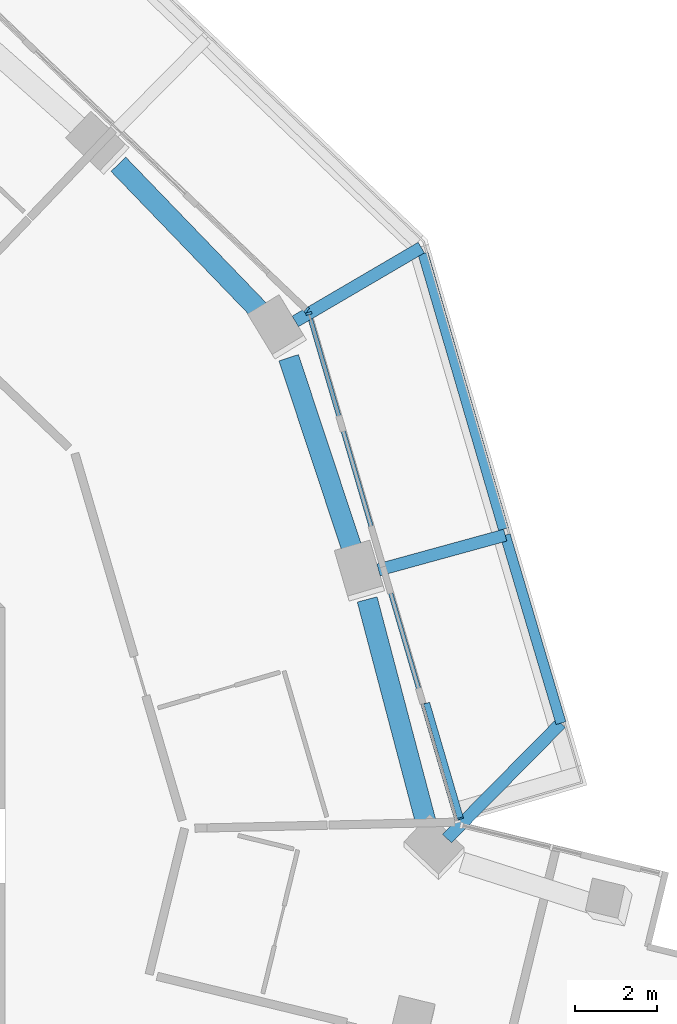
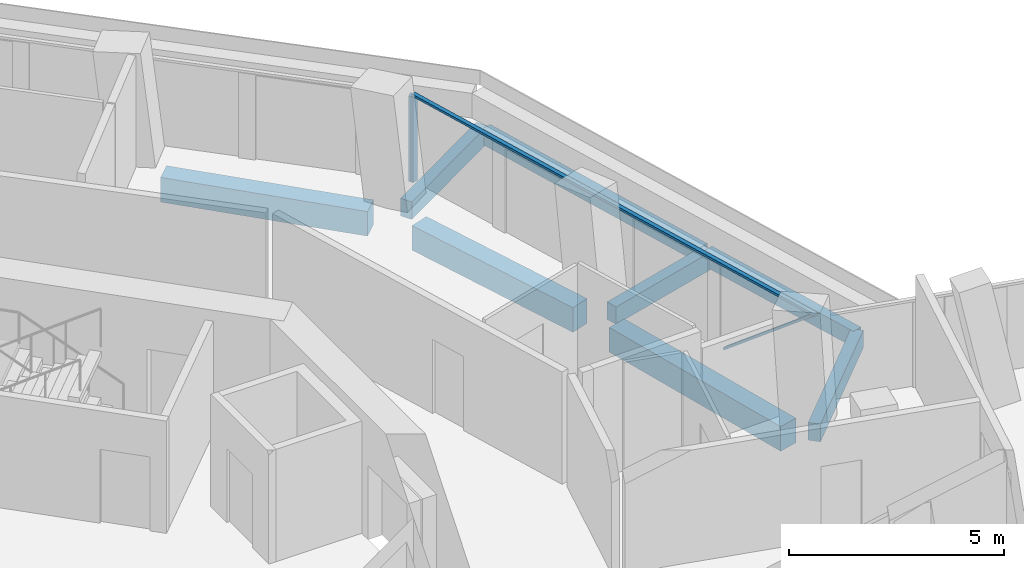
# One storey, part 9 of 25: 8 beams, 4 members, 2 elements without a shape of their own.
"""IFC4 building model written with IfcOpenShell, lengths in metres."""

from ifc_helpers import new_model, si_unit, direction, frame, origin, origin_2d, place, context, subcontext, project, spatial, rectangle, extrude, material, layer, layer_set, material_profile, profile_set, type_object, element, aggregate, save


model = new_model("IFC4")

# Units and contexts
model_context = context("Model", 3, precision=1e-05, world=origin(), true_north=direction((0.0, 1.0)))
body_context = subcontext(model_context, "Body", "Model", "MODEL_VIEW")
ifc_project = project(units=[si_unit("LENGTHUNIT", "METRE"), si_unit("AREAUNIT", "SQUARE_METRE"), si_unit("VOLUMEUNIT", "CUBIC_METRE"), si_unit("PLANEANGLEUNIT", "RADIAN"), si_unit("MASSUNIT", "GRAM", prefix="KILO")], contexts=[model_context])

# Site, building, storey
site_placement = place(None, origin())
site = spatial("IfcSite", under=ifc_project, at=site_placement, CompositionType="ELEMENT")
building_placement = place(site_placement, origin())
building = spatial("IfcBuilding", under=site, at=building_placement, Name="Verdalira Terraces Hotel", CompositionType="ELEMENT")
storey_placement = place(building_placement, frame((0.0, 0.0, 100.0)))
storey = spatial("IfcBuildingStorey", under=building, at=storey_placement, Name="L23", CompositionType="ELEMENT", Elevation=100.0)

# Beams
ifc_material_1 = material(Name="Concrete C40", Category="concrete")
ifc_material_profile_1 = material_profile(ifc_material_1, rectangle(XDim=0.300049, YDim=0.5, at=origin_2d()), Name="RC 300X500")
ifc_profile_set_1 = profile_set([ifc_material_profile_1], Name="Concrete C40")
beam_type_1 = type_object("IfcBeamType", Name="Balcony cantilever beam RC 300X500 C40", PredefinedType="BEAM", material=ifc_profile_set_1)
beam_1_placement = place(storey_placement, frame((24.769287, 0.177734, -0.560059), z_axis=(0.702642543, 0.711543011, 0.0), x_axis=(-0.711543011, 0.702642543, 0.0)))
element("IfcBeam", 1, at=beam_1_placement, inside=storey, type_object=beam_type_1, Name="Balcony cantilever beam R39-1", PredefinedType="BEAM", context=body_context, shape_type="SweptSolid", body=[
    extrude(rectangle(XDim=0.300049, YDim=0.5, at=origin_2d()), origin(), (0.0, 0.0, 1.0), 3.949951),
])
beam_2_placement = place(storey_placement, frame((23.100586, 6.719482, -0.560059), z_axis=(0.964274588, 0.264904734, 0.0), x_axis=(-0.264904734, 0.964274588, 0.0)))
element("IfcBeam", 2, at=beam_2_placement, inside=storey, type_object=beam_type_1, Name="Balcony cantilever beam R39-2", PredefinedType="BEAM", context=body_context, shape_type="SweptSolid", body=[
    extrude(rectangle(XDim=0.300049, YDim=0.5, at=origin_2d()), origin(), (0.0, 0.0, 1.0), 3.200684),
])
beam_3_placement = place(storey_placement, frame((21.073975, 12.772461, -0.560059), z_axis=(0.862866254, 0.505432317, 0.0), x_axis=(-0.505432317, 0.862866254, 0.0)))
element("IfcBeam", 3, at=beam_3_placement, inside=storey, type_object=beam_type_1, Name="Balcony cantilever beam R39-3", PredefinedType="BEAM", context=body_context, shape_type="SweptSolid", body=[
    extrude(rectangle(XDim=0.300049, YDim=0.5, at=origin_2d()), origin(), (0.0, 0.0, 1.0), 3.556641),
])
ifc_material_2 = material(Name="Concrete C40", Category="concrete")
ifc_material_profile_2 = material_profile(ifc_material_2, rectangle(XDim=0.25, YDim=0.449951, at=origin_2d()), Name="RC 250X450")
ifc_profile_set_2 = profile_set([ifc_material_profile_2], Name="Concrete C40")
beam_type_2 = type_object("IfcBeamType", Name="Balcony edge beam RC 250X450 C40", PredefinedType="BEAM", material=ifc_profile_set_2)
beam_4_placement = place(storey_placement, frame((27.544678, 2.988281, -0.534912), z_axis=(-0.284260627, 0.958747045, 0.0), x_axis=(-0.958747045, -0.284260627, 0.0)))
element("IfcBeam", 4, at=beam_4_placement, inside=storey, type_object=beam_type_2, Name="Balcony edge beam R39-1", PredefinedType="BEAM", context=body_context, shape_type="SweptSolid", body=[
    extrude(rectangle(XDim=0.25, YDim=0.449951, at=origin_2d()), origin(), (0.0, 0.0, 1.0), 4.776123),
])
beam_5_placement = place(storey_placement, frame((26.14502, 7.711182, -0.534912), z_axis=(-0.28020116, 0.959941305, 0.0), x_axis=(-0.959941305, -0.28020116, 0.0)))
element("IfcBeam", 5, at=beam_5_placement, inside=storey, type_object=beam_type_2, Name="Balcony edge beam R39-2", PredefinedType="BEAM", context=body_context, shape_type="SweptSolid", body=[
    extrude(rectangle(XDim=0.25, YDim=0.449951, at=origin_2d()), origin(), (0.0, 0.0, 1.0), 6.990479),
])

# Curtain wall, member
ifc_material_3 = material(Name="Clear glass", Category="glass")
ifc_layer = layer(ifc_material_3, 0.14990234375)
ifc_layer_set = layer_set([ifc_layer], Name="CW1 curtain wall")
curtain_wall_type = type_object("IfcCurtainWallType", Name="CW1 curtain wall", PredefinedType="NOTDEFINED", material=ifc_layer_set)
curtain_wall_1_placement = place(storey_placement, origin())
curtain_wall_1 = element("IfcCurtainWall", 6, at=curtain_wall_1_placement, inside=storey, type_object=curtain_wall_type, Name="CW1 curtain wall L23 edge 39", PredefinedType="NOTDEFINED")
ifc_material_4 = material(Name="Terracotta frame", Category="masonry")
ifc_material_profile_3 = material_profile(ifc_material_4, rectangle(XDim=0.060059, YDim=0.149902, at=origin_2d()), Name="MU 60x150")
ifc_profile_set_3 = profile_set([ifc_material_profile_3], Name="Terracotta frame")
member_type_1 = type_object("IfcMemberType", Name="CW1 mullion 60x150", PredefinedType="MULLION", material=ifc_profile_set_3)
member_1_placement = place(storey_placement, frame((21.4021, 12.966309, 0.0), z_axis=(0.0, 0.0, 1.0), x_axis=(-0.281001727, 0.959707262, 0.0)))
member_1 = element("IfcMember", 7, at=member_1_placement, type_object=member_type_1, Name="CW1 mullion", PredefinedType="MULLION", context=body_context, shape_type="SweptSolid", body=[
    extrude(rectangle(XDim=0.060059, YDim=0.149902, at=origin_2d()), origin(), (0.0, 0.0, 1.0), 2.425049),
])

curtain_wall_2_placement = place(storey_placement, origin())
curtain_wall_2 = element("IfcCurtainWall", 8, at=curtain_wall_2_placement, inside=storey, type_object=curtain_wall_type, Name="CW1 curtain wall L23 edge 40", PredefinedType="NOTDEFINED")
member_2_placement = place(storey_placement, frame((21.351807, 13.049072, 0.0), z_axis=(0.0, 0.0, 1.0), x_axis=(-0.723208265, 0.690630006, 0.0)))
member_2 = element("IfcMember", 9, at=member_2_placement, type_object=member_type_1, Name="CW1 mullion", PredefinedType="MULLION", context=body_context, shape_type="SweptSolid", body=[
    extrude(rectangle(XDim=0.060059, YDim=0.149902, at=origin_2d()), origin(), (0.0, 0.0, 1.0), 2.425049),
])
aggregate(curtain_wall_2, [member_2])

# Member
ifc_material_5 = material(Name="Terracotta frame", Category="masonry")
ifc_material_profile_4 = material_profile(ifc_material_5, rectangle(XDim=0.110107, YDim=0.064941, at=origin_2d()), Name="TR 65x110")
ifc_profile_set_4 = profile_set([ifc_material_profile_4], Name="Terracotta frame")
member_type_2 = type_object("IfcMemberType", Name="CW1 transom 65x110", PredefinedType="USERDEFINED", material=ifc_profile_set_4)
member_3_placement = place(storey_placement, frame((25.0354, 0.557373, 2.45752), z_axis=(-0.280990166, 0.959710647, 0.0), x_axis=(-0.959710647, -0.280990166, 0.0)))
member_3 = element("IfcMember", 10, at=member_3_placement, type_object=member_type_2, Name="CW1 transom", ObjectType="TRANSOM", PredefinedType="USERDEFINED", context=body_context, shape_type="SweptSolid", body=[
    extrude(rectangle(XDim=0.110107, YDim=0.064941, at=origin_2d()), origin(), (0.0, 0.0, 1.0), 12.959961),
])

ifc_material_6 = material(Name="Terracotta frame", Category="masonry")
ifc_material_profile_5 = material_profile(ifc_material_6, rectangle(XDim=0.149902, YDim=0.060059, at=origin_2d()), Name="GB 60x150")
ifc_profile_set_5 = profile_set([ifc_material_profile_5], Name="Terracotta frame")
member_type_3 = type_object("IfcMemberType", Name="Diagonal glazing bar 60x150", PredefinedType="USERDEFINED", material=ifc_profile_set_5)
member_4_placement = place(storey_placement, frame((25.095459, 0.668701, 2.400391), z_axis=(-0.217470802, 0.742900557, -0.633091788), x_axis=(-0.959724697, -0.280942177, 0.0)))
member_4 = element("IfcMember", 11, at=member_4_placement, type_object=member_type_3, Name="Diagonal glazing bar", ObjectType="GLAZING BAR", PredefinedType="USERDEFINED", context=body_context, shape_type="SweptSolid", body=[
    extrude(rectangle(XDim=0.149902, YDim=0.060059, at=origin_2d()), origin(), (0.0, 0.0, 1.0), 3.75293),
])

aggregate(curtain_wall_1, [member_1, member_3, member_4])

# Beams
ifc_material_7 = material(Name="Concrete C70", Category="concrete")
ifc_material_profile_6 = material_profile(ifc_material_7, rectangle(XDim=0.5, YDim=0.699951, at=origin_2d()), Name="RC 500X700")
ifc_profile_set_6 = profile_set([ifc_material_profile_6], Name="Concrete C70")
beam_type_3 = type_object("IfcBeamType", Name="Spandrel beam RC 500X700 C70", PredefinedType="SPANDREL", material=ifc_profile_set_6)
beam_6_placement = place(storey_placement, frame((24.268311, 0.516602, -0.659912), z_axis=(-0.254489062, 0.967075652, 0.0), x_axis=(-0.967075652, -0.254489062, 0.0)))
element("IfcBeam", 12, at=beam_6_placement, inside=storey, type_object=beam_type_3, Name="Spandrel beam B24", PredefinedType="SPANDREL", context=body_context, shape_type="SweptSolid", body=[
    extrude(rectangle(XDim=0.5, YDim=0.699951, at=origin_2d()), origin(), (0.0, 0.0, 1.0), 5.671631),
])
beam_7_placement = place(storey_placement, frame((22.489502, 7.129395, -0.659912), z_axis=(-0.314561437, 0.949237116, 0.0), x_axis=(-0.949237116, -0.314561437, 0.0)))
element("IfcBeam", 13, at=beam_7_placement, inside=storey, type_object=beam_type_3, Name="Spandrel beam B25", PredefinedType="SPANDREL", context=body_context, shape_type="SweptSolid", body=[
    extrude(rectangle(XDim=0.5, YDim=0.699951, at=origin_2d()), origin(), (0.0, 0.0, 1.0), 5.012207),
])
beam_8_placement = place(storey_placement, frame((20.245117, 12.98877, -0.659912), z_axis=(-0.693940051, 0.720032781, 0.0), x_axis=(-0.720032781, -0.693940051, 0.0)))
element("IfcBeam", 14, at=beam_8_placement, inside=storey, type_object=beam_type_3, Name="Spandrel beam B26", PredefinedType="SPANDREL", context=body_context, shape_type="SweptSolid", body=[
    extrude(rectangle(XDim=0.5, YDim=0.699951, at=origin_2d()), origin(), (0.0, 0.0, 1.0), 5.015137),
])

save(model, "model.ifc")
